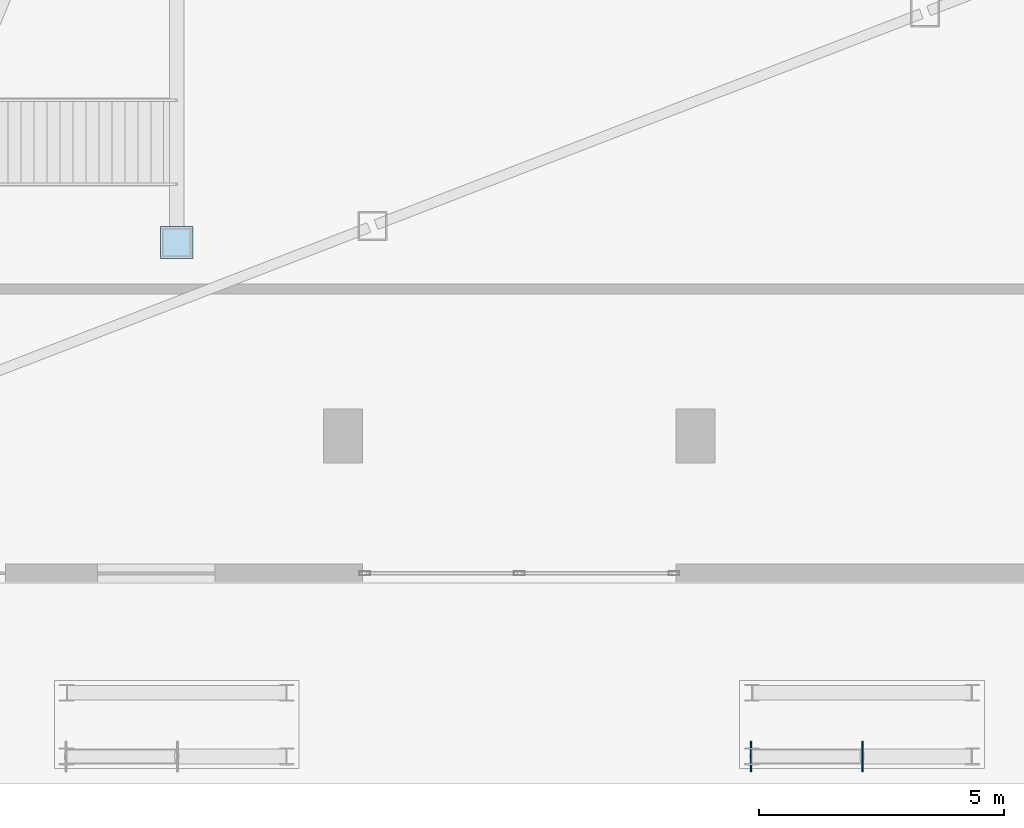
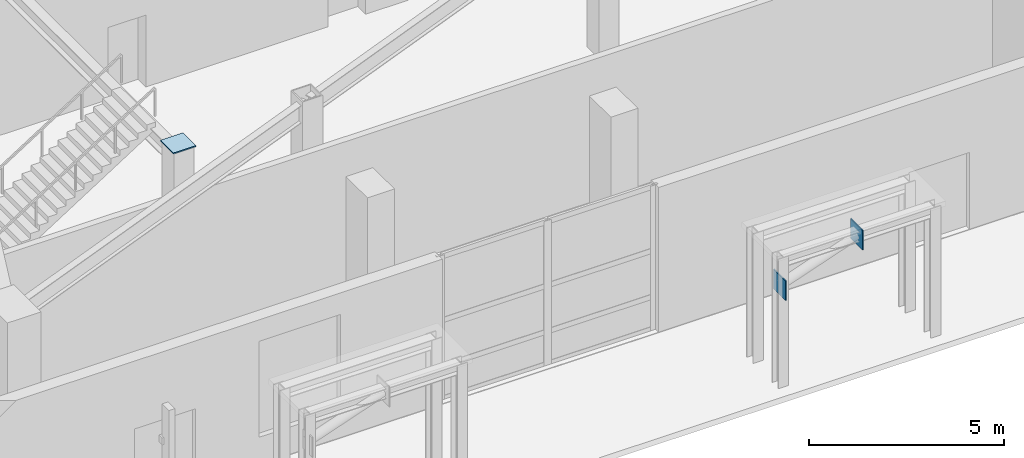
# One storey, part 11 of 22: 3 plates.
"""IFC4 building model written with IfcOpenShell, lengths in metres."""

from ifc_helpers import new_model, si_unit, direction, frame, origin, origin_2d, place, context, subcontext, project, spatial, rectangle, extrude, source, transform, mapped, material, type_object, element, save


model = new_model("IFC4")

# Units and contexts
model_context = context("Model", 3, precision=1e-05, world=origin(), true_north=direction((0.0, 1.0)))
body_context = subcontext(model_context, "Body", "Model", "MODEL_VIEW")
ifc_project = project(units=[si_unit("LENGTHUNIT", "METRE"), si_unit("AREAUNIT", "SQUARE_METRE"), si_unit("VOLUMEUNIT", "CUBIC_METRE"), si_unit("PLANEANGLEUNIT", "RADIAN"), si_unit("MASSUNIT", "GRAM", prefix="KILO")], contexts=[model_context])

# Site, building, storey
site_placement = place(None, origin())
site = spatial("IfcSite", under=ifc_project, at=site_placement, CompositionType="ELEMENT")
building_placement = place(site_placement, origin())
building = spatial("IfcBuilding", under=site, at=building_placement, Name="Olszyna Solenne Hotel", CompositionType="ELEMENT")
storey_placement = place(building_placement, origin())
storey = spatial("IfcBuildingStorey", under=building, at=storey_placement, Name="L00", CompositionType="ELEMENT", Elevation=0.0)

# Plates
ifc_material = material(Name="Steel S460M", Category="steel")
plate_type_1 = type_object("IfcPlateType", Name="GP-CAP1", PredefinedType="USERDEFINED", material=ifc_material)
shared_shape_1 = source(origin(), body_context, "Body", "SweptSolid", [
    extrude(rectangle(XDim=0.659912109375, YDim=0.659912109375, at=origin_2d()), origin(), (0.0, 0.0, 1.0), 0.0400390625),
])
plate_placement = place(storey_placement, frame((31.0, 9.550048828125, 5.23486328125), z_axis=(0.0, 0.0, 1.0), x_axis=(1.0, 0.0, 0.0)))
element("IfcPlate", 1, at=plate_placement, inside=storey, type_object=plate_type_1, Name="Hollow section end-cap plate GP-CAP1 CP-FS1COLTOP-2", ObjectType="GUSSET_PLATE", PredefinedType="USERDEFINED", context=body_context, shape_type="MappedRepresentation", body=[
    mapped(shared_shape_1, transform((0.0, 0.0, 0.0), x_axis=(1.0, 0.0, 0.0), y_axis=(0.0, 1.0, 0.0), z_axis=(0.0, 0.0, 1.0), scale=1.0)),
])
plate_type_2 = type_object("IfcPlateType", Name="GP-CAP2", PredefinedType="USERDEFINED", material=ifc_material)
shared_shape_2 = source(origin(), body_context, "Body", "SweptSolid", [
    extrude(rectangle(XDim=0.030029296875, YDim=0.6201171875, at=origin_2d()), origin(), (0.0, 0.0, 1.0), 0.6201171875),
])
for number, where, z_axis, x_axis, name in (
    (2, (42.73583984375, -0.949951171875, 2.7900390625), (0.0, 0.0, 1.0), (1.0, 0.0, 0.0), "Hollow section end-cap plate GP-CAP2 CP-CN-M-CN-CN-S2-1"),
    (3, (45.01416015625, -0.949951171875, 3.56982421875), (0.0, 0.0, 1.0), (1.0, 0.0, 0.0), "Hollow section end-cap plate GP-CAP2 CP-CN-M-CN-CN-S2-2"),
):
    element("IfcPlate", number, at=place(storey_placement, frame(where, z_axis=z_axis, x_axis=x_axis)), inside=storey, type_object=plate_type_2, Name=name, ObjectType="GUSSET_PLATE", PredefinedType="USERDEFINED", context=body_context, shape_type="MappedRepresentation", body=[
        mapped(shared_shape_2, transform((0.0, 0.0, 0.0), x_axis=(1.0, 0.0, 0.0), y_axis=(0.0, 1.0, 0.0), z_axis=(0.0, 0.0, 1.0), scale=1.0)),
    ])

save(model, "model.ifc")
